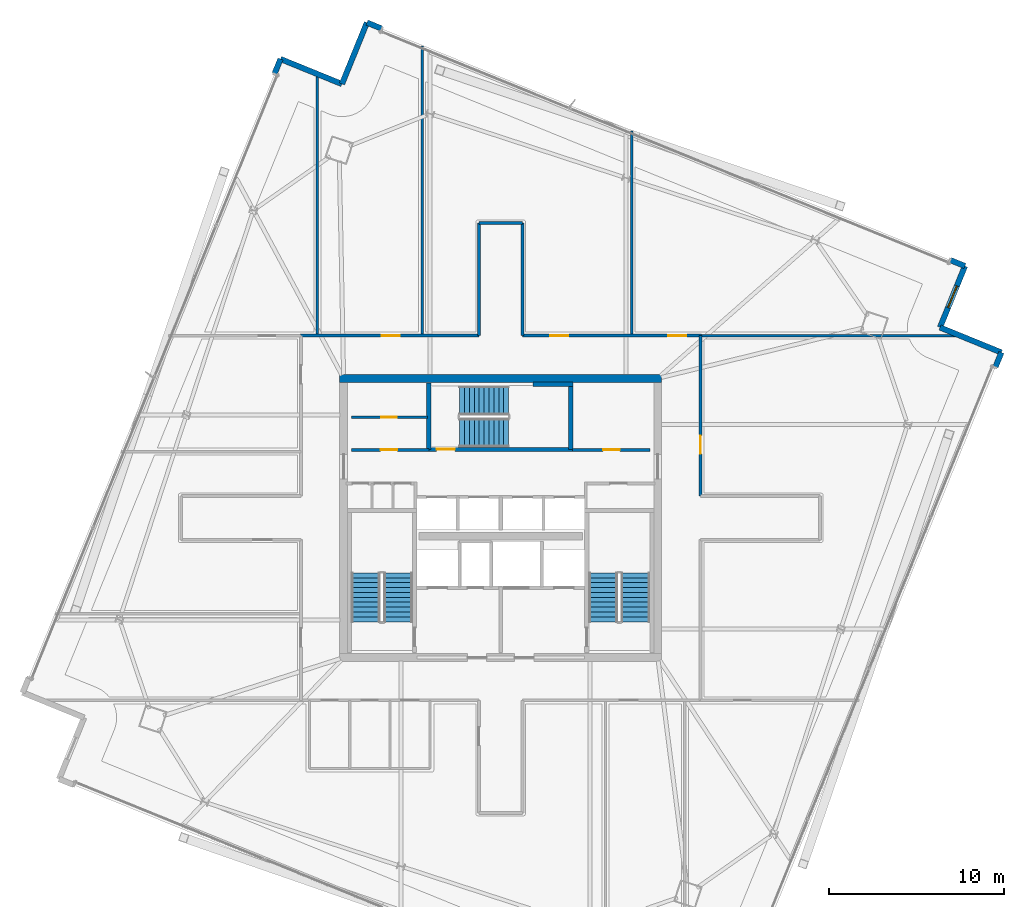
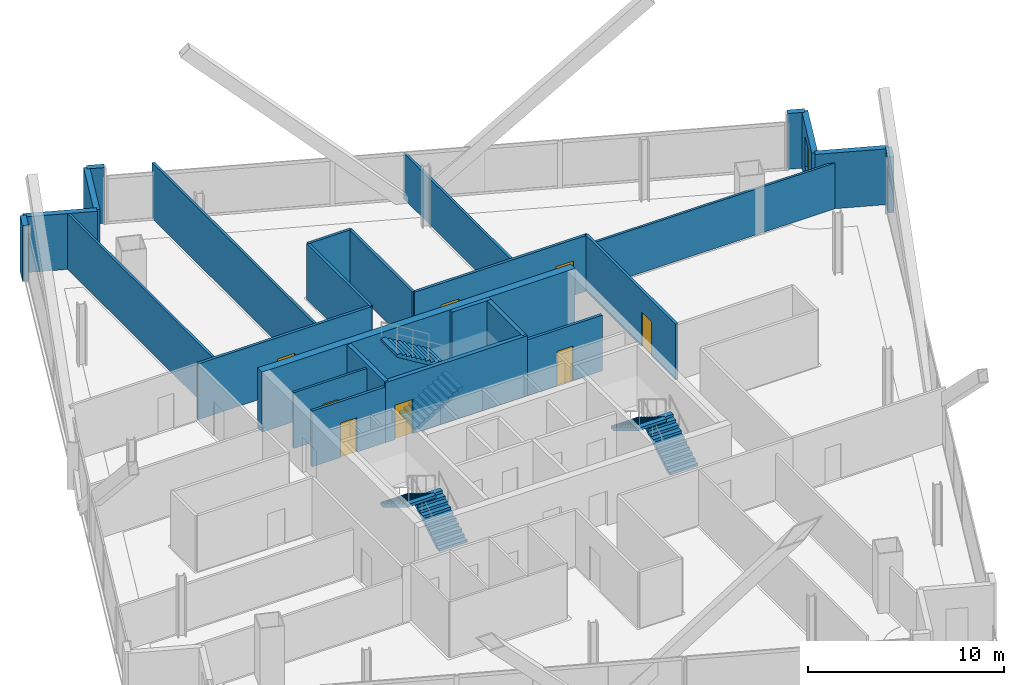
# One storey, part 26 of 31: 26 walls, 8 doors, 6 stair flights, 1 window, 9 openings, 3 elements without a shape of their own.
"""IFC4 building model written with IfcOpenShell, lengths in metres."""

import ifcopenshell
import ifcopenshell.guid

model = None  # the IFC model being written
_history = None  # IfcOwnerHistory: only IFC2X3 demands one
_inside = {}  # id of a spatial element -> (the spatial element, [elements in it])
_under = {}  # id of a project, library or spatial element -> (it, [spatial elements below it])
_declared = {}  # id of a project -> (the project, [libraries it declares])
_typed = {}  # id of a type object -> (the type object, [elements of that type])
_made_of = {}  # id of a material, layer set ... -> (it, [elements and type objects made of it])


def new_model(schema):
    """Start an empty IFC model of exactly this schema.

    Asked for "IFC4X3", IfcOpenShell would pick the latest addendum, in which some entities
    have other attributes; the version numbers below select the first issue.
    IFC2X3 requires an IfcOwnerHistory on every rooted entity: one is made here for all.
    """
    global model, _history
    if schema == "IFC4X3":
        model = ifcopenshell.file(schema_version=(4, 3, 0, 0))
    else:
        model = ifcopenshell.file(schema=schema)
    _inside.clear()
    _under.clear()
    _declared.clear()
    _typed.clear()
    _made_of.clear()
    _history = None
    if model.schema == "IFC2X3":
        org = make("IfcOrganization", Name="unknown")
        user = make(
            "IfcPersonAndOrganization",
            ThePerson=make("IfcPerson", FamilyName="unknown"),
            TheOrganization=org,
        )
        app = make(
            "IfcApplication",
            ApplicationDeveloper=org,
            Version="unknown",
            ApplicationFullName="unknown",
            ApplicationIdentifier="unknown",
        )
        _history = make(
            "IfcOwnerHistory",
            OwningUser=user,
            OwningApplication=app,
            ChangeAction="ADDED",
            CreationDate=0,
        )
    return model


def make(cls, **values):
    """One entity of the class cls with the attributes given. An attribute that is None is left unset."""
    return model.create_entity(
        cls, **{name: value for name, value in values.items() if value is not None}
    )


def rooted(cls, **values):
    """An entity with a GlobalId (a new one), such as an element, a storey or a relation."""
    return make(cls, GlobalId=ifcopenshell.guid.new(), OwnerHistory=_history, **values)


def si_unit(unit_type, name, prefix=None):
    """IfcSIUnit, for example si_unit("LENGTHUNIT", "METRE", prefix="MILLI")."""
    return make("IfcSIUnit", UnitType=unit_type, Prefix=prefix, Name=name)


def assignment(units):
    """IfcUnitAssignment: the units of a project."""
    return None if units is None else make("IfcUnitAssignment", Units=units)


def point(xyz):
    """IfcCartesianPoint."""
    return None if xyz is None else make("IfcCartesianPoint", Coordinates=xyz)


def direction(xyz):
    """IfcDirection."""
    return None if xyz is None else make("IfcDirection", DirectionRatios=xyz)


def frame(location, z_axis=None, x_axis=None):
    """IfcAxis2Placement3D, a coordinate frame: its origin and axes. An axis left out is left unset."""
    return make(
        "IfcAxis2Placement3D",
        Location=point(location),
        Axis=direction(z_axis),
        RefDirection=direction(x_axis),
    )


def frame_2d(location, x_axis=None):
    """IfcAxis2Placement2D, a coordinate frame in the plane: its origin and x axis."""
    return make(
        "IfcAxis2Placement2D", Location=point(location), RefDirection=direction(x_axis)
    )


def origin():
    """The frame at (0, 0, 0) with its axes left unset."""
    return frame((0.0, 0.0, 0.0))


def place(relative_to, where):
    """IfcLocalPlacement: puts the frame where relative to a parent placement (None: the world)."""
    return make(
        "IfcLocalPlacement", PlacementRelTo=relative_to, RelativePlacement=where
    )


def context(
    kind, dimensions, precision=None, world=None, true_north=None, identifier=None
):
    """IfcGeometricRepresentationContext, for example the 3D "Model" context."""
    return make(
        "IfcGeometricRepresentationContext",
        ContextIdentifier=identifier,
        ContextType=kind,
        CoordinateSpaceDimension=dimensions,
        Precision=precision,
        WorldCoordinateSystem=world,
        TrueNorth=true_north,
    )


def subcontext(parent, identifier, kind, view, scale=None):
    """IfcGeometricRepresentationSubContext, for example "Body" below "Model"."""
    return make(
        "IfcGeometricRepresentationSubContext",
        ContextIdentifier=identifier,
        ContextType=kind,
        ParentContext=parent,
        TargetScale=scale,
        TargetView=view,
    )


def project(units=None, contexts=None):
    """IfcProject with its units and contexts."""
    return rooted(
        "IfcProject",
        Name="project",
        RepresentationContexts=contexts,
        UnitsInContext=assignment(units),
    )


def spatial(cls, under=None, at=None, **own):
    """A site, building, storey or space (cls), placed at a placement, below another one or the project."""
    s = rooted(cls, ObjectPlacement=at, **own)
    if under is not None:
        _under.setdefault(under.id(), (under, []))[1].append(s)
    return s


def polyline(points):
    """IfcPolyline through the points."""
    return make("IfcPolyline", Points=[point(p) for p in points])


def profile(cls, at=None, kind="AREA", **sizes):
    """A parametric profile (cls). Its sizes go by their IFC names, for example OverallWidth=200.0."""
    return make(cls, ProfileType=kind, Position=at, **sizes)


def rectangle(**sizes):
    """IfcRectangleProfileDef."""
    return profile("IfcRectangleProfileDef", **sizes)


def outline(outer, holes=None, kind="AREA"):
    """IfcArbitraryClosedProfileDef: a profile drawn as a closed curve; with holes, ...WithVoids."""
    if holes is None:
        return make("IfcArbitraryClosedProfileDef", ProfileType=kind, OuterCurve=outer)
    return make(
        "IfcArbitraryProfileDefWithVoids",
        ProfileType=kind,
        OuterCurve=outer,
        InnerCurves=holes,
    )


def extrude(swept, where, along, depth):
    """IfcExtrudedAreaSolid: the profile swept, set in the frame where, extruded along a direction by depth."""
    return make(
        "IfcExtrudedAreaSolid",
        SweptArea=swept,
        Position=where,
        ExtrudedDirection=direction(along),
        Depth=depth,
    )


def shape(context_of_items, identifier, shape_type, items):
    """IfcShapeRepresentation: the items that make up one representation, for example the "Body"."""
    return make(
        "IfcShapeRepresentation",
        ContextOfItems=context_of_items,
        RepresentationIdentifier=identifier,
        RepresentationType=shape_type,
        Items=items,
    )


def material(Name=None, Category=None):
    """IfcMaterial."""
    return make("IfcMaterial", Name=Name, Category=Category)


def layer(
    of_material, thickness, ventilated=None, Name=None, Category=None, Priority=None
):
    """IfcMaterialLayer: one layer of a wall or slab, of a material (None: an air gap)."""
    return make(
        "IfcMaterialLayer",
        Material=of_material,
        LayerThickness=thickness,
        IsVentilated=ventilated,
        Name=Name,
        Category=Category,
        Priority=Priority,
    )


def layer_set(layers, Name=None):
    """IfcMaterialLayerSet."""
    return make("IfcMaterialLayerSet", MaterialLayers=layers, LayerSetName=Name)


def made_of(thing, what):
    """Note that an element or type object is made of a material, layer set ...; save() writes the relation."""
    if what is not None:
        _made_of.setdefault(what.id(), (what, []))[1].append(thing)
    return thing


def type_object(cls, material=None, **own):
    """A type object (cls), such as IfcWallType, which elements share."""
    return made_of(rooted(cls, **own), material)


def element(
    cls,
    number,
    at=None,
    inside=None,
    cuts=None,
    type_object=None,
    material=None,
    context=None,
    identifier="Body",
    shape_type=None,
    held_by="IfcProductDefinitionShape",
    body=None,
    shapes=None,
    **own,
):
    """One element of the class cls, such as IfcWall. Its Tag is "e" and its number.

    at: its placement. inside: the storey or other place that contains it. cuts: it is an
    opening in that element (IfcRelVoidsElement). A single representation is given by context,
    identifier, shape_type and body (its items); several are given by shapes. held_by: the class
    of the entity that holds the representations. save() writes the other relations.
    """
    e = rooted(cls, Tag="e%d" % number, ObjectPlacement=at, **own)
    if body is not None:
        shapes = [shape(context, identifier, shape_type, body)]
    if shapes is not None:
        e.Representation = make(held_by, Representations=shapes)
    if inside is not None:
        _inside.setdefault(inside.id(), (inside, []))[1].append(e)
    if cuts is not None:
        rooted(
            "IfcRelVoidsElement", RelatingBuildingElement=cuts, RelatedOpeningElement=e
        )
    if type_object is not None:
        _typed.setdefault(type_object.id(), (type_object, []))[1].append(e)
    return made_of(e, material)


def fill(opening, filler):
    """IfcRelFillsElement: the door or window that sits in an opening."""
    return rooted(
        "IfcRelFillsElement",
        RelatingOpeningElement=opening,
        RelatedBuildingElement=filler,
    )


def aggregate(whole, parts):
    """IfcRelAggregates: a whole, such as a stair, and the parts it consists of."""
    return rooted("IfcRelAggregates", RelatingObject=whole, RelatedObjects=parts)


def save(model, path):
    """Write the relations noted so far, then the file.

    IfcRelAggregates (storeys below a building ...), IfcRelContainedInSpatialStructure (elements
    in a storey), IfcRelDefinesByType, IfcRelAssociatesMaterial and IfcRelDeclares: one each for
    every whole, place, type object, material and project.
    """
    for whole, parts in _under.values():
        aggregate(whole, parts)
    for where, things in _inside.values():
        rooted(
            "IfcRelContainedInSpatialStructure",
            RelatedElements=things,
            RelatingStructure=where,
        )
    for kind, things in _typed.values():
        rooted("IfcRelDefinesByType", RelatedObjects=things, RelatingType=kind)
    for what, things in _made_of.values():
        rooted("IfcRelAssociatesMaterial", RelatedObjects=things, RelatingMaterial=what)
    for by, libraries in _declared.values():
        rooted("IfcRelDeclares", RelatingContext=by, RelatedDefinitions=libraries)
    model.write(path)


model = new_model("IFC4")

# Units and contexts
model_context = context("Model", 3, precision=1e-05, world=origin(), true_north=direction((0.0, 1.0)))
body_context = subcontext(model_context, "Body", "Model", "MODEL_VIEW")
ifc_project = project(units=[si_unit("LENGTHUNIT", "METRE"), si_unit("AREAUNIT", "SQUARE_METRE"), si_unit("VOLUMEUNIT", "CUBIC_METRE"), si_unit("PLANEANGLEUNIT", "RADIAN"), si_unit("MASSUNIT", "GRAM", prefix="KILO")], contexts=[model_context])

# Site, building, storey
site_placement = place(None, origin())
site = spatial("IfcSite", under=ifc_project, at=site_placement, CompositionType="ELEMENT")
building_placement = place(site_placement, origin())
building = spatial("IfcBuilding", under=site, at=building_placement, Name="Haldenkirk Collegiate Tower", CompositionType="ELEMENT")
storey_placement = place(building_placement, frame((0.0, 0.0, 256.199951171875)))
storey = spatial("IfcBuildingStorey", under=building, at=storey_placement, Name="L64", CompositionType="ELEMENT", Elevation=256.199951171875)

# Walls
ifc_material_1 = material(Name="Concrete f'c 55 MPa", Category="concrete")
ifc_layer_1 = layer(ifc_material_1, 0.449951171875)
ifc_layer_set_1 = layer_set([ifc_layer_1], Name="Concrete f'c 55 MPa")
wall_type_1 = type_object("IfcWallType", Name="WL-CORE-450", PredefinedType="SHEAR", material=ifc_layer_set_1)
wall_1_placement = place(storey_placement, frame((26.77490234375, 34.0, 0.0), z_axis=(0.0, 0.0, 1.0), x_axis=(1.0, 0.0, 0.0)))
element("IfcWall", 1, at=wall_1_placement, inside=storey, type_object=wall_type_1, Name="L64 central core shear wall N", PredefinedType="SHEAR", context=body_context, shape_type="SweptSolid", body=[
    extrude(rectangle(XDim=18.4501953125, YDim=0.449951171875, at=frame_2d((9.22509765625, 0.0))), origin(), (0.0, 0.0, 1.0), 3.75),
])
ifc_material_2 = material(Name="Precast concrete f'c 40 MPa", Category="concrete")
ifc_layer_2 = layer(ifc_material_2, 0.320068359375)
ifc_layer_set_2 = layer_set([ifc_layer_2], Name="Precast concrete f'c 40 MPa")
wall_type_2 = type_object("IfcWallType", Name="WL-EXT-TWR-320", PredefinedType="STANDARD", material=ifc_layer_set_2)
wall_2_placement = place(storey_placement, frame((64.6923828125, 35.481689453125, 0.0), z_axis=(0.0, 0.0, 1.0), x_axis=(-0.377090060843, -0.926176595479, 0.0)))
element("IfcWall", 2, at=wall_2_placement, inside=storey, type_object=wall_type_2, Name="L64 precast corner pier SL", PredefinedType="STANDARD", context=body_context, shape_type="SweptSolid", body=[
    extrude(rectangle(XDim=0.89990234375, YDim=0.320068359375, at=frame_2d((0.449951171875, 0.0))), origin(), (0.0, 0.0, 1.0), 3.47998046875),
])
wall_3_placement = place(storey_placement, frame((61.1728515625, 36.91455078125, 0.0), z_axis=(0.0, 0.0, 1.0), x_axis=(0.926186283002, -0.377066266297, 0.0)))
element("IfcWall", 3, at=wall_3_placement, inside=storey, type_object=wall_type_2, Name="L64 bronze precast notch wall 02", PredefinedType="STANDARD", context=body_context, shape_type="SweptSolid", body=[
    extrude(rectangle(XDim=3.800048828125, YDim=0.320068359375, at=frame_2d((1.89990234375, 0.0))), origin(), (0.0, 0.0, 1.0), 3.47998046875),
])

# Wall, opening, window
wall_4_placement = place(storey_placement, frame((62.605712890625, 40.43408203125, 0.0), z_axis=(0.0, 0.0, 1.0), x_axis=(-0.377066266297, -0.926186283002, 0.0)))
wall_4 = element("IfcWall", 4, at=wall_4_placement, inside=storey, type_object=wall_type_2, Name="L64 bronze precast notch wall 03", PredefinedType="STANDARD", context=body_context, shape_type="SweptSolid", body=[
    extrude(rectangle(XDim=3.800048828125, YDim=0.320068359375, at=frame_2d((1.89990234375, 0.0))), origin(), (0.0, 0.0, 1.0), 3.47998046875),
])
opening_1_placement = place(wall_4_placement, frame((1.22509765625, 0.0, 0.85009765625)))
opening_1 = element("IfcOpeningElement", 5, at=opening_1_placement, cuts=wall_4, Name="Opening W-07", PredefinedType="OPENING", context=body_context, shape_type="SweptSolid", body=[
    extrude(rectangle(XDim=1.35009765625, YDim=1.949951171875, at=frame_2d((0.675048828125, 0.97509765625))), frame((0.0, 0.169921875, 0.0), z_axis=(0.0, -1.0, 0.0), x_axis=(1.0, 0.0, 0.0)), (0.0, 0.0, 1.0), 0.340087890625),
])
ifc_material_3 = material(Name="Low-E argon triple insulating glass", Category="glass")
ifc_layer_3 = layer(ifc_material_3, 0.090087890625)
ifc_layer_set_3 = layer_set([ifc_layer_3], Name="Low-E argon triple insulating glass")
window_type = type_object("IfcWindowType", Name="WN-Z5-1350X1950", PartitioningType="SINGLE_PANEL", PredefinedType="WINDOW", material=ifc_layer_set_3)
window_placement = place(opening_1_placement, origin())
window = element("IfcWindow", 6, at=window_placement, inside=storey, type_object=window_type, Name="L64 precast-frame academic window 2", OverallHeight=1.949951171875, OverallWidth=1.35009765625, PartitioningType="SINGLE_PANEL", PredefinedType="WINDOW", context=body_context, shape_type="SweptSolid", body=[
    extrude(rectangle(XDim=1.35009765625, YDim=1.949951171875, at=frame_2d((0.675048828125, 0.97509765625))), frame((0.0, 0.030029296875, 0.0), z_axis=(0.0, -1.0, 0.0), x_axis=(1.0, 0.0, 0.0)), (0.0, 0.0, 1.0), 0.06005859375),
])
fill(opening_1, window)

# Walls
for number, where, z_axis, x_axis, name in (
    (7, (28.336181640625, 54.38427734375, 0.0), (0.0, 0.0, 1.0), (0.926215157235, -0.376995334863, 0.0), "L64 precast corner pier EL"),
    (8, (61.77197265625, 40.7734375, 0.0), (0.0, 0.0, 1.0), (0.926215157235, -0.376995334863, 0.0), "L64 precast corner pier ER"),
):
    element("IfcWall", number, at=place(storey_placement, frame(where, z_axis=z_axis, x_axis=x_axis)), inside=storey, type_object=wall_type_2, Name=name, PredefinedType="STANDARD", context=body_context, shape_type="SweptSolid", body=[
        extrude(rectangle(XDim=0.900146484375, YDim=0.320068359375, at=frame_2d((0.4501953125, 0.0))), origin(), (0.0, 0.0, 1.0), 3.47998046875),
    ])
for number, where, z_axis, x_axis, name in (
    (9, (26.903564453125, 50.86474609375, 0.0), (0.0, 0.0, 1.0), (0.377011151776, 0.926208719154, 0.0), "L64 bronze precast notch wall 05"),
    (10, (23.3837890625, 52.29736328125, 0.0), (0.0, 0.0, 1.0), (0.926217850477, -0.376988717944, 0.0), "L64 bronze precast notch wall 06"),
):
    element("IfcWall", number, at=place(storey_placement, frame(where, z_axis=z_axis, x_axis=x_axis)), inside=storey, type_object=wall_type_2, Name=name, PredefinedType="STANDARD", context=body_context, shape_type="SweptSolid", body=[
        extrude(rectangle(XDim=3.800048828125, YDim=0.320068359375, at=frame_2d((1.89990234375, 0.0))), origin(), (0.0, 0.0, 1.0), 3.47998046875),
    ])
wall_5_placement = place(storey_placement, frame((23.044677734375, 51.4638671875, 0.0), z_axis=(0.0, 0.0, 1.0), x_axis=(0.376857313612, 0.926271323737, 0.0)))
element("IfcWall", 11, at=wall_5_placement, inside=storey, type_object=wall_type_2, Name="L64 precast corner pier NR", PredefinedType="STANDARD", context=body_context, shape_type="SweptSolid", body=[
    extrude(rectangle(XDim=0.89990234375, YDim=0.320068359375, at=frame_2d((0.449951171875, 0.0))), origin(), (0.0, 0.0, 1.0), 3.47998046875),
])

# Wall, opening, door
ifc_material_4 = material(Name="Acoustic fire-rated gypsum partition", Category="concrete")
ifc_layer_4 = layer(ifc_material_4, 0.159912109375)
ifc_layer_set_4 = layer_set([ifc_layer_4], Name="Acoustic fire-rated gypsum partition")
wall_type_3 = type_object("IfcWallType", Name="WL-INT-CORR-160", PredefinedType="PARTITIONING", material=ifc_layer_set_4)
wall_6_placement = place(storey_placement, frame((27.449951171875, 29.89990234375, 0.0), z_axis=(0.0, 0.0, 1.0), x_axis=(1.0, 0.0, 0.0)))
wall_6 = element("IfcWall", 12, at=wall_6_placement, inside=storey, type_object=wall_type_3, Name="L64 interior partition IW-L64-PLS", PredefinedType="PARTITIONING", context=body_context, shape_type="SweptSolid", body=[
    extrude(rectangle(XDim=4.429931640625, YDim=0.159912109375, at=frame_2d((2.21484375, 0.0))), origin(), (0.0, 0.0, 1.0), 3.47998046875),
])
opening_2_placement = place(wall_6_placement, frame((1.675048828125, 0.0, 0.0)))
opening_2 = element("IfcOpeningElement", 13, at=opening_2_placement, cuts=wall_6, Name="Opening D-10", PredefinedType="OPENING", context=body_context, shape_type="SweptSolid", body=[
    extrude(rectangle(XDim=0.949951171875, YDim=2.14990234375, at=frame_2d((0.47509765625, 1.074951171875))), frame((0.0, 0.08984375, 0.0), z_axis=(0.0, -1.0, 0.0), x_axis=(1.0, 0.0, 0.0)), (0.0, 0.0, 1.0), 0.179931640625),
])
ifc_material_5 = material(Name="Solid-core architectural oak fire door", Category="wood")
ifc_layer_5 = layer(ifc_material_5, 0.06005859375)
ifc_layer_set_5 = layer_set([ifc_layer_5], Name="Solid-core architectural oak fire door")
door_type_1 = type_object("IfcDoorType", Name="DR-INT-FD60-950", OperationType="NOTDEFINED", PredefinedType="DOOR", material=ifc_layer_set_5)
door_1_placement = place(opening_2_placement, origin())
door_1 = element("IfcDoor", 14, at=door_1_placement, inside=storey, type_object=door_type_1, Name="L64 consultation door", OperationType="SINGLE_SWING_RIGHT", OverallHeight=2.14990234375, OverallWidth=0.949951171875, PredefinedType="DOOR", context=body_context, shape_type="SweptSolid", body=[
    extrude(rectangle(XDim=0.949951171875, YDim=2.14990234375, at=frame_2d((0.47509765625, 1.074951171875))), frame((0.0, 0.02490234375, 0.0), z_axis=(0.0, -1.0, 0.0), x_axis=(1.0, 0.0, 0.0)), (0.0, 0.0, 1.0), 0.050048828125),
])
fill(opening_2, door_1)

wall_7_placement = place(storey_placement, frame((40.1201171875, 29.89990234375, 0.0), z_axis=(0.0, 0.0, 1.0), x_axis=(1.0, 0.0, 0.0)))
wall_7 = element("IfcWall", 15, at=wall_7_placement, inside=storey, type_object=wall_type_3, Name="L64 interior partition IW-L64-PMS", PredefinedType="PARTITIONING", context=body_context, shape_type="SweptSolid", body=[
    extrude(rectangle(XDim=4.429931640625, YDim=0.159912109375, at=frame_2d((2.21484375, 0.0))), origin(), (0.0, 0.0, 1.0), 3.47998046875),
])
opening_3_placement = place(wall_7_placement, frame((1.7548828125, 0.0, 0.0)))
opening_3 = element("IfcOpeningElement", 16, at=opening_3_placement, cuts=wall_7, Name="Opening D-10", PredefinedType="OPENING", context=body_context, shape_type="SweptSolid", body=[
    extrude(rectangle(XDim=0.949951171875, YDim=2.14990234375, at=frame_2d((0.47509765625, 1.074951171875))), frame((0.0, 0.08984375, 0.0), z_axis=(0.0, -1.0, 0.0), x_axis=(1.0, 0.0, 0.0)), (0.0, 0.0, 1.0), 0.179931640625),
])
door_2_placement = place(opening_3_placement, origin())
door_2 = element("IfcDoor", 17, at=door_2_placement, inside=storey, type_object=door_type_1, Name="L64 reference archive door", OperationType="SINGLE_SWING_RIGHT", OverallHeight=2.14990234375, OverallWidth=0.949951171875, PredefinedType="DOOR", context=body_context, shape_type="SweptSolid", body=[
    extrude(rectangle(XDim=0.949951171875, YDim=2.14990234375, at=frame_2d((0.47509765625, 1.074951171875))), frame((0.0, 0.02490234375, 0.0), z_axis=(0.0, -1.0, 0.0), x_axis=(1.0, 0.0, 0.0)), (0.0, 0.0, 1.0), 0.050048828125),
])
fill(opening_3, door_2)

wall_8_placement = place(storey_placement, frame((24.5, 36.449951171875, 0.0), z_axis=(0.0, 0.0, 1.0), x_axis=(1.0, 0.0, 0.0)))
wall_8 = element("IfcWall", 18, at=wall_8_placement, inside=storey, type_object=wall_type_3, Name="L64 interior partition IW-L64-CN1", PredefinedType="PARTITIONING", context=body_context, shape_type="SweptSolid", body=[
    extrude(rectangle(XDim=10.25, YDim=0.159912109375, at=frame_2d((5.125, 0.0))), origin(), (0.0, 0.0, 1.0), 3.47998046875),
])
opening_4_placement = place(wall_8_placement, frame((4.675048828125, 0.0, 0.0)))
opening_4 = element("IfcOpeningElement", 19, at=opening_4_placement, cuts=wall_8, Name="Opening D-09", PredefinedType="OPENING", context=body_context, shape_type="SweptSolid", body=[
    extrude(rectangle(XDim=1.050048828125, YDim=2.14990234375, at=frame_2d((0.52490234375, 1.074951171875))), frame((0.0, 0.08984375, 0.0), z_axis=(0.0, -1.0, 0.0), x_axis=(1.0, 0.0, 0.0)), (0.0, 0.0, 1.0), 0.179931640625),
])
ifc_layer_6 = layer(ifc_material_5, 0.06005859375)
ifc_layer_set_6 = layer_set([ifc_layer_6], Name="Solid-core architectural oak fire door")
door_type_2 = type_object("IfcDoorType", Name="DR-INT-FD60-1050", OperationType="NOTDEFINED", PredefinedType="DOOR", material=ifc_layer_set_6)
door_3_placement = place(opening_4_placement, origin())
door_3 = element("IfcDoor", 20, at=door_3_placement, inside=storey, type_object=door_type_2, Name="L64 Case Method Seminar Room 5 door", OperationType="SINGLE_SWING_RIGHT", OverallHeight=2.14990234375, OverallWidth=1.050048828125, PredefinedType="DOOR", context=body_context, shape_type="SweptSolid", body=[
    extrude(rectangle(XDim=1.050048828125, YDim=2.14990234375, at=frame_2d((0.52490234375, 1.074951171875))), frame((0.0, 0.02490234375, 0.0), z_axis=(0.0, -1.0, 0.0), x_axis=(1.0, 0.0, 0.0)), (0.0, 0.0, 1.0), 0.050048828125),
])
fill(opening_4, door_3)

# Wall, openings, doors
wall_9_placement = place(storey_placement, frame((37.25, 36.449951171875, 0.0), z_axis=(0.0, 0.0, 1.0), x_axis=(1.0, 0.0, 0.0)))
wall_9 = element("IfcWall", 21, at=wall_9_placement, inside=storey, type_object=wall_type_3, Name="L64 interior partition IW-L64-CN2", PredefinedType="PARTITIONING", context=body_context, shape_type="SweptSolid", body=[
    extrude(rectangle(XDim=10.25, YDim=0.159912109375, at=frame_2d((5.125, 0.0))), origin(), (0.0, 0.0, 1.0), 3.47998046875),
])
opening_5_placement = place(wall_9_placement, frame((1.5810546875, 0.0, 0.0)))
opening_5 = element("IfcOpeningElement", 22, at=opening_5_placement, cuts=wall_9, Name="Opening D-09", PredefinedType="OPENING", context=body_context, shape_type="SweptSolid", body=[
    extrude(rectangle(XDim=1.050048828125, YDim=2.14990234375, at=frame_2d((0.52490234375, 1.074951171875))), frame((0.0, 0.08984375, 0.0), z_axis=(0.0, -1.0, 0.0), x_axis=(1.0, 0.0, 0.0)), (0.0, 0.0, 1.0), 0.179931640625),
])
opening_6_placement = place(wall_9_placement, frame((8.339111328125, 0.0, 0.0)))
opening_6 = element("IfcOpeningElement", 23, at=opening_6_placement, cuts=wall_9, Name="Opening D-09", PredefinedType="OPENING", context=body_context, shape_type="SweptSolid", body=[
    extrude(rectangle(XDim=1.050048828125, YDim=2.14990234375, at=frame_2d((0.52490234375, 1.074951171875))), frame((0.0, 0.08984375, 0.0), z_axis=(0.0, -1.0, 0.0), x_axis=(1.0, 0.0, 0.0)), (0.0, 0.0, 1.0), 0.179931640625),
])
door_4_placement = place(opening_5_placement, origin())
door_4 = element("IfcDoor", 24, at=door_4_placement, inside=storey, type_object=door_type_2, Name="L64 Critique Seminar Room 6 door", OperationType="SINGLE_SWING_LEFT", OverallHeight=2.14990234375, OverallWidth=1.050048828125, PredefinedType="DOOR", context=body_context, shape_type="SweptSolid", body=[
    extrude(rectangle(XDim=1.050048828125, YDim=2.14990234375, at=frame_2d((0.52490234375, 1.074951171875))), frame((0.0, 0.02490234375, 0.0), z_axis=(0.0, -1.0, 0.0), x_axis=(1.0, 0.0, 0.0)), (0.0, 0.0, 1.0), 0.050048828125),
])
fill(opening_5, door_4)
door_5_placement = place(opening_6_placement, origin())
door_5 = element("IfcDoor", 25, at=door_5_placement, inside=storey, type_object=door_type_2, Name="L64 Graduate Seminar Room 7 door", OperationType="SINGLE_SWING_RIGHT", OverallHeight=2.14990234375, OverallWidth=1.050048828125, PredefinedType="DOOR", context=body_context, shape_type="SweptSolid", body=[
    extrude(rectangle(XDim=1.050048828125, YDim=2.14990234375, at=frame_2d((0.52490234375, 1.074951171875))), frame((0.0, 0.02490234375, 0.0), z_axis=(0.0, -1.0, 0.0), x_axis=(1.0, 0.0, 0.0)), (0.0, 0.0, 1.0), 0.050048828125),
])
fill(opening_6, door_5)

# Wall, opening, door
wall_10_placement = place(storey_placement, frame((47.449951171875, 27.25, 0.0), z_axis=(0.0, 0.0, 1.0), x_axis=(0.0, 1.0, 0.0)))
wall_10 = element("IfcWall", 26, at=wall_10_placement, inside=storey, type_object=wall_type_3, Name="L64 interior partition IW-L64-CE2", PredefinedType="PARTITIONING", context=body_context, shape_type="SweptSolid", body=[
    extrude(rectangle(XDim=9.199951171875, YDim=0.159912109375, at=frame_2d((4.60009765625, 0.0))), origin(), (0.0, 0.0, 1.0), 3.47998046875),
])
opening_7_placement = place(wall_10_placement, frame((2.4189453125, 0.0, 0.0)))
opening_7 = element("IfcOpeningElement", 27, at=opening_7_placement, cuts=wall_10, Name="Opening D-09", PredefinedType="OPENING", context=body_context, shape_type="SweptSolid", body=[
    extrude(rectangle(XDim=1.050048828125, YDim=2.14990234375, at=frame_2d((0.52490234375, 1.074951171875))), frame((0.0, 0.08984375, 0.0), z_axis=(0.0, -1.0, 0.0), x_axis=(1.0, 0.0, 0.0)), (0.0, 0.0, 1.0), 0.179931640625),
])
door_6_placement = place(opening_7_placement, origin())
door_6 = element("IfcDoor", 28, at=door_6_placement, inside=storey, type_object=door_type_2, Name="L64 Case Method Seminar Room 11 door", OperationType="SINGLE_SWING_RIGHT", OverallHeight=2.14990234375, OverallWidth=1.050048828125, PredefinedType="DOOR", context=body_context, shape_type="SweptSolid", body=[
    extrude(rectangle(XDim=1.050048828125, YDim=2.14990234375, at=frame_2d((0.52490234375, 1.074951171875))), frame((0.0, 0.02490234375, 0.0), z_axis=(0.0, -1.0, 0.0), x_axis=(1.0, 0.0, 0.0)), (0.0, 0.0, 1.0), 0.050048828125),
])
fill(opening_7, door_6)

# Walls
for number, where, z_axis, x_axis, name in (
    (29, (34.75, 36.449951171875, 0.0), (0.0, 0.0, 1.0), (0.0, 1.0, 0.0), "L64 interior partition IW-L64-NPW"),
    (30, (37.25, 36.449951171875, 0.0), (0.0, 0.0, 1.0), (0.0, 1.0, 0.0), "L64 interior partition IW-L64-NPE"),
):
    element("IfcWall", number, at=place(storey_placement, frame(where, z_axis=z_axis, x_axis=x_axis)), inside=storey, type_object=wall_type_3, Name=name, PredefinedType="PARTITIONING", context=body_context, shape_type="SweptSolid", body=[
        extrude(rectangle(XDim=6.449951171875, YDim=0.159912109375, at=frame_2d((3.22509765625, 0.0))), origin(), (0.0, 0.0, 1.0), 3.47998046875),
    ])
wall_11_placement = place(storey_placement, frame((34.75, 42.89990234375, 0.0), z_axis=(0.0, 0.0, 1.0), x_axis=(1.0, 0.0, 0.0)))
element("IfcWall", 31, at=wall_11_placement, inside=storey, type_object=wall_type_3, Name="L64 interior partition IW-L64-NPN", PredefinedType="PARTITIONING", context=body_context, shape_type="SweptSolid", body=[
    extrude(rectangle(XDim=2.5, YDim=0.159912109375, at=frame_2d((1.25, 0.0))), origin(), (0.0, 0.0, 1.0), 3.47998046875),
])

# Wall, opening, door
ifc_layer_7 = layer(ifc_material_4, 0.139892578125)
ifc_layer_set_7 = layer_set([ifc_layer_7], Name="Acoustic fire-rated gypsum partition")
wall_type_4 = type_object("IfcWallType", Name="WL-INT-DIV-140", PredefinedType="PARTITIONING", material=ifc_layer_set_7)
wall_12_placement = place(storey_placement, frame((27.449951171875, 31.780029296875, 0.0), z_axis=(0.0, 0.0, 1.0), x_axis=(1.0, 0.0, 0.0)))
wall_12 = element("IfcWall", 32, at=wall_12_placement, inside=storey, type_object=wall_type_4, Name="L64 interior partition IW-L64-PLDIVH", PredefinedType="PARTITIONING", context=body_context, shape_type="SweptSolid", body=[
    extrude(rectangle(XDim=4.35009765625, YDim=0.139892578125, at=frame_2d((2.175048828125, 0.0))), origin(), (0.0, 0.0, 1.0), 3.47998046875),
])
opening_8_placement = place(wall_12_placement, frame((1.699951171875, 0.0, 0.0)))
opening_8 = element("IfcOpeningElement", 33, at=opening_8_placement, cuts=wall_12, Name="Opening D-13", PredefinedType="OPENING", context=body_context, shape_type="SweptSolid", body=[
    extrude(rectangle(XDim=0.89990234375, YDim=2.14990234375, at=frame_2d((0.449951171875, 1.074951171875))), frame((0.0, 0.079833984375, 0.0), z_axis=(0.0, -1.0, 0.0), x_axis=(1.0, 0.0, 0.0)), (0.0, 0.0, 1.0), 0.159912109375),
])
ifc_layer_8 = layer(ifc_material_5, 0.06005859375)
ifc_layer_set_8 = layer_set([ifc_layer_8], Name="Solid-core architectural oak fire door")
door_type_3 = type_object("IfcDoorType", Name="DR-INT-STD-900", OperationType="NOTDEFINED", PredefinedType="DOOR", material=ifc_layer_set_8)
door_7_placement = place(opening_8_placement, origin())
door_7 = element("IfcDoor", 34, at=door_7_placement, inside=storey, type_object=door_type_3, Name="L64 folio vault door", OperationType="SINGLE_SWING_LEFT", OverallHeight=2.14990234375, OverallWidth=0.89990234375, PredefinedType="DOOR", context=body_context, shape_type="SweptSolid", body=[
    extrude(rectangle(XDim=0.89990234375, YDim=2.14990234375, at=frame_2d((0.449951171875, 1.074951171875))), frame((0.0, 0.02490234375, 0.0), z_axis=(0.0, -1.0, 0.0), x_axis=(1.0, 0.0, 0.0)), (0.0, 0.0, 1.0), 0.050048828125),
])
fill(opening_8, door_7)

# Walls
wall_13_placement = place(storey_placement, frame((47.449951171875, 36.449951171875, 0.0), z_axis=(0.0, 0.0, 1.0), x_axis=(1.0, 0.0, 0.0)))
element("IfcWall", 35, at=wall_13_placement, inside=storey, type_object=wall_type_4, Name="L64 interior partition IW-L64-BEN", PredefinedType="PARTITIONING", context=body_context, shape_type="SweptSolid", body=[
    extrude(rectangle(XDim=14.758056640625, YDim=0.139892578125, at=frame_2d((7.37890625, 0.0))), origin(), (0.0, 0.0, 1.0), 2.858154296875),
])
wall_14_placement = place(storey_placement, frame((25.5, 36.449951171875, 0.0), z_axis=(0.0, 0.0, 1.0), x_axis=(0.0, 1.0, 0.0)))
element("IfcWall", 36, at=wall_14_placement, inside=storey, type_object=wall_type_4, Name="L64 interior partition IW-L64-RN1", PredefinedType="PARTITIONING", context=body_context, shape_type="SweptSolid", body=[
    extrude(rectangle(XDim=14.94287109375, YDim=0.139892578125, at=frame_2d((7.471435546875, 0.0))), origin(), (0.0, 0.0, 1.0), 3.47998046875),
])
wall_15_placement = place(storey_placement, frame((31.5, 36.449951171875, 0.0), z_axis=(0.0, 0.0, 1.0), x_axis=(0.0, 1.0, 0.0)))
element("IfcWall", 37, at=wall_15_placement, inside=storey, type_object=wall_type_4, Name="L64 interior partition IW-L64-RN2", PredefinedType="PARTITIONING", context=body_context, shape_type="SweptSolid", body=[
    extrude(rectangle(XDim=16.603271484375, YDim=0.139892578125, at=frame_2d((8.3017578125, 0.0))), origin(), (0.0, 0.0, 1.0), 3.47998046875),
])
wall_16_placement = place(storey_placement, frame((43.5, 36.449951171875, 0.0), z_axis=(0.0, 0.0, 1.0), x_axis=(0.0, 1.0, 0.0)))
element("IfcWall", 38, at=wall_16_placement, inside=storey, type_object=wall_type_4, Name="L64 interior partition IW-L64-RN3", PredefinedType="PARTITIONING", context=body_context, shape_type="SweptSolid", body=[
    extrude(rectangle(XDim=11.71826171875, YDim=0.139892578125, at=frame_2d((5.859130859375, 0.0))), origin(), (0.0, 0.0, 1.0), 2.858154296875),
])

# Wall, opening, door
ifc_layer_9 = layer(ifc_material_1, 0.239990234375)
ifc_layer_set_9 = layer_set([ifc_layer_9], Name="Concrete f'c 55 MPa")
wall_type_5 = type_object("IfcWallType", Name="WL-SHAFT-240", PredefinedType="SHEAR", material=ifc_layer_set_9)
wall_17_placement = place(storey_placement, frame((31.760009765625, 29.929931640625, 0.0), z_axis=(0.0, 0.0, 1.0), x_axis=(1.0, 0.0, 0.0)))
wall_17 = element("IfcWall", 39, at=wall_17_placement, inside=storey, type_object=wall_type_5, Name="L64 stair shaft shear wall SW-L64-ST3S", PredefinedType="SHEAR", context=body_context, shape_type="SweptSolid", body=[
    extrude(rectangle(XDim=8.3798828125, YDim=0.239990234375, at=frame_2d((4.18994140625, 0.0))), origin(), (0.0, 0.0, 1.0), 3.75),
])
opening_9_placement = place(wall_17_placement, frame((0.56494140625, 0.0, 0.0)))
opening_9 = element("IfcOpeningElement", 40, at=opening_9_placement, cuts=wall_17, Name="Opening D-01", PredefinedType="OPENING", context=body_context, shape_type="SweptSolid", body=[
    extrude(rectangle(XDim=1.050048828125, YDim=2.14990234375, at=frame_2d((0.52490234375, 1.074951171875))), frame((0.0, 0.1298828125, 0.0), z_axis=(0.0, -1.0, 0.0), x_axis=(1.0, 0.0, 0.0)), (0.0, 0.0, 1.0), 0.260009765625),
])
ifc_material_6 = material(Name="Galvanized fire-rated hollow steel door", Category="steel")
ifc_layer_10 = layer(ifc_material_6, 0.06005859375)
ifc_layer_set_10 = layer_set([ifc_layer_10], Name="Galvanized fire-rated hollow steel door")
door_type_4 = type_object("IfcDoorType", Name="DR-STAIR-FD90-1050", OperationType="NOTDEFINED", PredefinedType="DOOR", material=ifc_layer_set_10)
door_8_placement = place(opening_9_placement, origin())
door_8 = element("IfcDoor", 41, at=door_8_placement, inside=storey, type_object=door_type_4, Name="L64 lift lobby Stair 3 door", OperationType="SINGLE_SWING_LEFT", OverallHeight=2.14990234375, OverallWidth=1.050048828125, PredefinedType="DOOR", context=body_context, shape_type="SweptSolid", body=[
    extrude(rectangle(XDim=1.050048828125, YDim=2.14990234375, at=frame_2d((0.52490234375, 1.074951171875))), frame((0.0, 0.02490234375, 0.0), z_axis=(0.0, -1.0, 0.0), x_axis=(1.0, 0.0, 0.0)), (0.0, 0.0, 1.0), 0.050048828125),
])
fill(opening_9, door_8)

# Walls
wall_18_placement = place(storey_placement, frame((31.8798828125, 29.929931640625, 0.0), z_axis=(0.0, 0.0, 1.0), x_axis=(0.0, 1.0, 0.0)))
element("IfcWall", 42, at=wall_18_placement, inside=storey, type_object=wall_type_5, Name="L64 stair shaft shear wall SW-L64-ST3W", PredefinedType="SHEAR", context=body_context, shape_type="SweptSolid", body=[
    extrude(rectangle(XDim=3.7900390625, YDim=0.239990234375, at=frame_2d((1.89501953125, 0.0))), origin(), (0.0, 0.0, 1.0), 3.75),
])
wall_19_placement = place(storey_placement, frame((40.02001953125, 29.929931640625, 0.0), z_axis=(0.0, 0.0, 1.0), x_axis=(0.0, 1.0, 0.0)))
element("IfcWall", 43, at=wall_19_placement, inside=storey, type_object=wall_type_5, Name="L64 stair shaft shear wall SW-L64-ST3E", PredefinedType="SHEAR", context=body_context, shape_type="SweptSolid", body=[
    extrude(rectangle(XDim=3.85009765625, YDim=0.239990234375, at=frame_2d((1.925048828125, 0.0))), origin(), (0.0, 0.0, 1.0), 3.75),
])
wall_20_placement = place(storey_placement, frame((37.85009765625, 33.659912109375, 0.0), z_axis=(0.0, 0.0, 1.0), x_axis=(1.0, 0.0, 0.0)))
element("IfcWall", 44, at=wall_20_placement, inside=storey, type_object=wall_type_5, Name="L64 stair shaft shear wall SW-L64-ST3N", PredefinedType="SHEAR", context=body_context, shape_type="SweptSolid", body=[
    extrude(rectangle(XDim=2.289794921875, YDim=0.239990234375, at=frame_2d((1.14501953125, 0.0))), origin(), (0.0, 0.0, 1.0), 3.75),
])

# Stair, stair flights
ifc_material_7 = material(Name="Concrete f'c 40 MPa", Category="concrete")
stair_type = type_object("IfcStairType", Name="STR-DOGLEG-1650", PredefinedType="HALF_TURN_STAIR", material=ifc_material_7)
stair_1_placement = place(storey_placement, origin())
stair_1 = element("IfcStair", 45, at=stair_1_placement, inside=storey, type_object=stair_type, Name="L64 Core Exit Stair ST-1", PredefinedType="HALF_TURN_STAIR")
stair_flight_type = type_object("IfcStairFlightType", Name="STF-FLIGHT-1650", PredefinedType="STRAIGHT", material=ifc_material_7)
stair_flight_1_placement = place(storey_placement, frame((30.125, 20.050048828125, 0.0), z_axis=(0.0, 0.0, 1.0), x_axis=(0.0, 1.0, 0.0)))
stair_flight_1 = element("IfcStairFlight", 46, at=stair_flight_1_placement, type_object=stair_flight_type, Name="ST-1 flight 1", NumberOfRisers=11, NumberOfTreads=10, PredefinedType="STRAIGHT", RiserHeight=0.170454545, TreadLength=0.28, context=body_context, shape_type="SweptSolid", body=[
    extrude(outline(polyline([(0.0, 0.0), (0.0, 0.17041015625), (0.280029296875, 0.17041015625), (0.280029296875, 0.3408203125), (0.56005859375, 0.3408203125), (0.56005859375, 0.511474609375), (0.840087890625, 0.511474609375), (0.840087890625, 0.681884765625), (1.1201171875, 0.681884765625), (1.1201171875, 0.852294921875), (1.39990234375, 0.852294921875), (1.39990234375, 1.022705078125), (1.679931640625, 1.022705078125), (1.679931640625, 1.193115234375), (1.9599609375, 1.193115234375), (1.9599609375, 1.363525390625), (2.239990234375, 1.363525390625), (2.239990234375, 1.5341796875), (2.52001953125, 1.5341796875), (2.52001953125, 1.70458984375), (2.800048828125, 1.70458984375), (2.800048828125, 1.875), (2.800048828125, 1.529052734375), (0.288330078125, 0.0), (0.0, 0.0)])), frame((0.0, 0.824951171875, 0.0), z_axis=(0.0, -1.0, 0.0), x_axis=(1.0, 0.0, 0.0)), (0.0, 0.0, 1.0), 1.64990234375),
])
stair_flight_2_placement = place(storey_placement, frame((28.27490234375, 22.85009765625, 1.875), z_axis=(0.0, 0.0, 1.0), x_axis=(0.0, -1.0, 0.0)))
stair_flight_2 = element("IfcStairFlight", 47, at=stair_flight_2_placement, type_object=stair_flight_type, Name="ST-1 flight 2", NumberOfRisers=11, NumberOfTreads=10, PredefinedType="STRAIGHT", RiserHeight=0.170454545, TreadLength=0.28, context=body_context, shape_type="SweptSolid", body=[
    extrude(outline(polyline([(0.0, 0.0), (0.0, 0.17041015625), (0.280029296875, 0.17041015625), (0.280029296875, 0.3408203125), (0.56005859375, 0.3408203125), (0.56005859375, 0.511474609375), (0.840087890625, 0.511474609375), (0.840087890625, 0.681884765625), (1.1201171875, 0.681884765625), (1.1201171875, 0.852294921875), (1.39990234375, 0.852294921875), (1.39990234375, 1.022705078125), (1.679931640625, 1.022705078125), (1.679931640625, 1.193115234375), (1.9599609375, 1.193115234375), (1.9599609375, 1.363525390625), (2.239990234375, 1.363525390625), (2.239990234375, 1.5341796875), (2.52001953125, 1.5341796875), (2.52001953125, 1.70458984375), (2.800048828125, 1.70458984375), (2.800048828125, 1.875), (2.800048828125, 1.529052734375), (0.288330078125, 0.0), (0.0, 0.0)])), frame((0.0, 0.824951171875, 0.0), z_axis=(0.0, -1.0, 0.0), x_axis=(1.0, 0.0, 0.0)), (0.0, 0.0, 1.0), 1.64990234375),
])
aggregate(stair_1, [stair_flight_1, stair_flight_2])

stair_2_placement = place(storey_placement, origin())
stair_2 = element("IfcStair", 48, at=stair_2_placement, inside=storey, type_object=stair_type, Name="L64 Core Exit Stair ST-2", PredefinedType="HALF_TURN_STAIR")
stair_flight_3_placement = place(storey_placement, frame((43.72509765625, 20.050048828125, 0.0), z_axis=(0.0, 0.0, 1.0), x_axis=(0.0, 1.0, 0.0)))
stair_flight_3 = element("IfcStairFlight", 49, at=stair_flight_3_placement, type_object=stair_flight_type, Name="ST-2 flight 1", NumberOfRisers=11, NumberOfTreads=10, PredefinedType="STRAIGHT", RiserHeight=0.170454545, TreadLength=0.28, context=body_context, shape_type="SweptSolid", body=[
    extrude(outline(polyline([(0.0, 0.0), (0.0, 0.17041015625), (0.280029296875, 0.17041015625), (0.280029296875, 0.3408203125), (0.56005859375, 0.3408203125), (0.56005859375, 0.511474609375), (0.840087890625, 0.511474609375), (0.840087890625, 0.681884765625), (1.1201171875, 0.681884765625), (1.1201171875, 0.852294921875), (1.39990234375, 0.852294921875), (1.39990234375, 1.022705078125), (1.679931640625, 1.022705078125), (1.679931640625, 1.193115234375), (1.9599609375, 1.193115234375), (1.9599609375, 1.363525390625), (2.239990234375, 1.363525390625), (2.239990234375, 1.5341796875), (2.52001953125, 1.5341796875), (2.52001953125, 1.70458984375), (2.800048828125, 1.70458984375), (2.800048828125, 1.875), (2.800048828125, 1.529052734375), (0.288330078125, 0.0), (0.0, 0.0)])), frame((0.0, 0.824951171875, 0.0), z_axis=(0.0, -1.0, 0.0), x_axis=(1.0, 0.0, 0.0)), (0.0, 0.0, 1.0), 1.64990234375),
])
stair_flight_4_placement = place(storey_placement, frame((41.875, 22.85009765625, 1.875), z_axis=(0.0, 0.0, 1.0), x_axis=(0.0, -1.0, 0.0)))
stair_flight_4 = element("IfcStairFlight", 50, at=stair_flight_4_placement, type_object=stair_flight_type, Name="ST-2 flight 2", NumberOfRisers=11, NumberOfTreads=10, PredefinedType="STRAIGHT", RiserHeight=0.170454545, TreadLength=0.28, context=body_context, shape_type="SweptSolid", body=[
    extrude(outline(polyline([(0.0, 0.0), (0.0, 0.17041015625), (0.280029296875, 0.17041015625), (0.280029296875, 0.3408203125), (0.56005859375, 0.3408203125), (0.56005859375, 0.511474609375), (0.840087890625, 0.511474609375), (0.840087890625, 0.681884765625), (1.1201171875, 0.681884765625), (1.1201171875, 0.852294921875), (1.39990234375, 0.852294921875), (1.39990234375, 1.022705078125), (1.679931640625, 1.022705078125), (1.679931640625, 1.193115234375), (1.9599609375, 1.193115234375), (1.9599609375, 1.363525390625), (2.239990234375, 1.363525390625), (2.239990234375, 1.5341796875), (2.52001953125, 1.5341796875), (2.52001953125, 1.70458984375), (2.800048828125, 1.70458984375), (2.800048828125, 1.875), (2.800048828125, 1.529052734375), (0.288330078125, 0.0), (0.0, 0.0)])), frame((0.0, 0.824951171875, 0.0), z_axis=(0.0, -1.0, 0.0), x_axis=(1.0, 0.0, 0.0)), (0.0, 0.0, 1.0), 1.64990234375),
])
aggregate(stair_2, [stair_flight_3, stair_flight_4])

stair_3_placement = place(storey_placement, origin())
stair_3 = element("IfcStair", 51, at=stair_3_placement, inside=storey, type_object=stair_type, Name="L64 Core Exit Stair ST-3", PredefinedType="HALF_TURN_STAIR")
stair_flight_5_placement = place(storey_placement, frame((33.64990234375, 30.875, 0.0), z_axis=(0.0, 0.0, 1.0), x_axis=(1.0, 0.0, 0.0)))
stair_flight_5 = element("IfcStairFlight", 52, at=stair_flight_5_placement, type_object=stair_flight_type, Name="ST-3 flight 1", NumberOfRisers=11, NumberOfTreads=10, PredefinedType="STRAIGHT", RiserHeight=0.170454545, TreadLength=0.28, context=body_context, shape_type="SweptSolid", body=[
    extrude(outline(polyline([(0.0, 0.0), (0.0, 0.17041015625), (0.280029296875, 0.17041015625), (0.280029296875, 0.3408203125), (0.56005859375, 0.3408203125), (0.56005859375, 0.511474609375), (0.840087890625, 0.511474609375), (0.840087890625, 0.681884765625), (1.1201171875, 0.681884765625), (1.1201171875, 0.852294921875), (1.39990234375, 0.852294921875), (1.39990234375, 1.022705078125), (1.679931640625, 1.022705078125), (1.679931640625, 1.193115234375), (1.9599609375, 1.193115234375), (1.9599609375, 1.363525390625), (2.239990234375, 1.363525390625), (2.239990234375, 1.5341796875), (2.52001953125, 1.5341796875), (2.52001953125, 1.70458984375), (2.800048828125, 1.70458984375), (2.800048828125, 1.875), (2.800048828125, 1.529052734375), (0.288330078125, 0.0), (0.0, 0.0)])), frame((0.0, 0.824951171875, 0.0), z_axis=(0.0, -1.0, 0.0), x_axis=(1.0, 0.0, 0.0)), (0.0, 0.0, 1.0), 1.64990234375),
])
stair_flight_6_placement = place(storey_placement, frame((36.449951171875, 32.72509765625, 1.875), z_axis=(0.0, 0.0, 1.0), x_axis=(-1.0, 0.0, 0.0)))
stair_flight_6 = element("IfcStairFlight", 53, at=stair_flight_6_placement, type_object=stair_flight_type, Name="ST-3 flight 2", NumberOfRisers=11, NumberOfTreads=10, PredefinedType="STRAIGHT", RiserHeight=0.170454545, TreadLength=0.28, context=body_context, shape_type="SweptSolid", body=[
    extrude(outline(polyline([(0.0, 0.0), (0.0, 0.17041015625), (0.280029296875, 0.17041015625), (0.280029296875, 0.3408203125), (0.56005859375, 0.3408203125), (0.56005859375, 0.511474609375), (0.840087890625, 0.511474609375), (0.840087890625, 0.681884765625), (1.1201171875, 0.681884765625), (1.1201171875, 0.852294921875), (1.39990234375, 0.852294921875), (1.39990234375, 1.022705078125), (1.679931640625, 1.022705078125), (1.679931640625, 1.193115234375), (1.9599609375, 1.193115234375), (1.9599609375, 1.363525390625), (2.239990234375, 1.363525390625), (2.239990234375, 1.5341796875), (2.52001953125, 1.5341796875), (2.52001953125, 1.70458984375), (2.800048828125, 1.70458984375), (2.800048828125, 1.875), (2.800048828125, 1.529052734375), (0.288330078125, 0.0), (0.0, 0.0)])), frame((0.0, 0.824951171875, 0.0), z_axis=(0.0, -1.0, 0.0), x_axis=(1.0, 0.0, 0.0)), (0.0, 0.0, 1.0), 1.64990234375),
])
aggregate(stair_3, [stair_flight_5, stair_flight_6])

save(model, "model.ifc")
